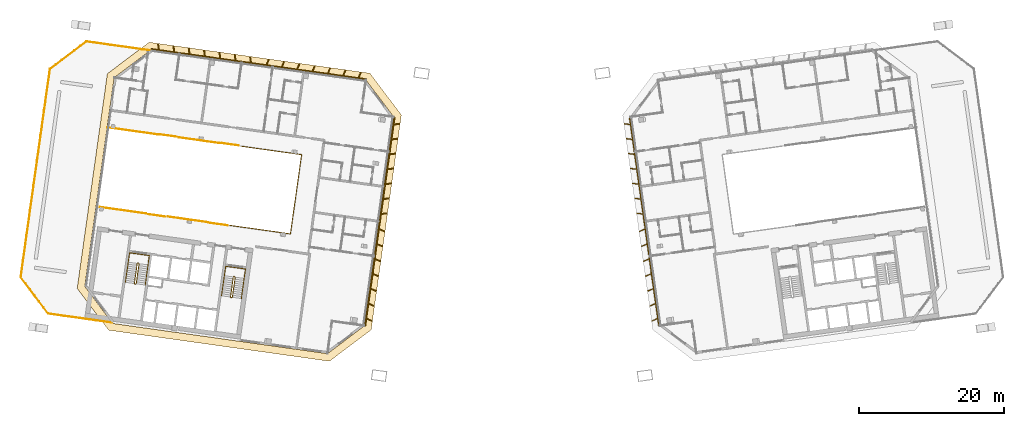
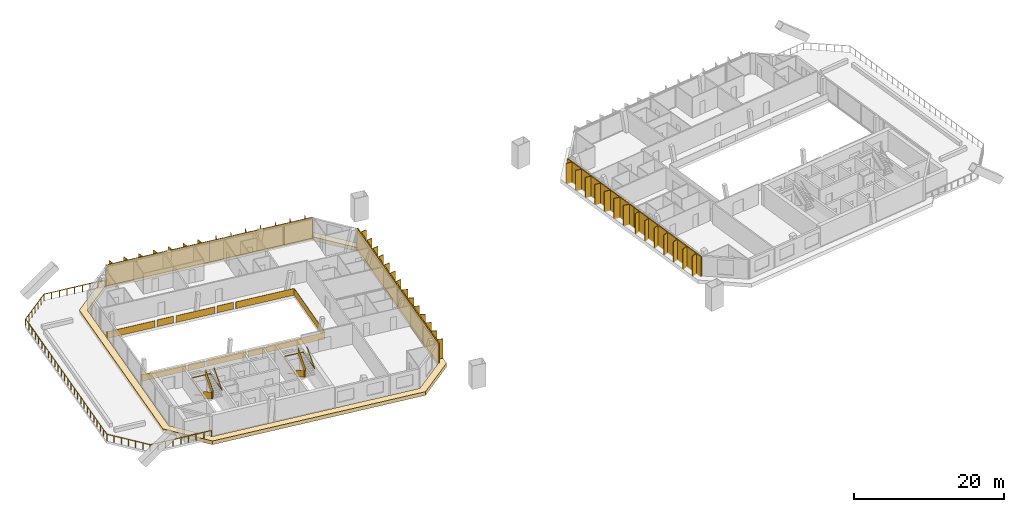
# One storey, part 16 of 17: 14 railings, 6 shading devices, 1 covering.
"""IFC4 building model written with IfcOpenShell, lengths in metres."""

import ifcopenshell
import ifcopenshell.guid

model = None  # the IFC model being written
_history = None  # IfcOwnerHistory: only IFC2X3 demands one
_inside = {}  # id of a spatial element -> (the spatial element, [elements in it])
_under = {}  # id of a project, library or spatial element -> (it, [spatial elements below it])
_declared = {}  # id of a project -> (the project, [libraries it declares])
_typed = {}  # id of a type object -> (the type object, [elements of that type])
_made_of = {}  # id of a material, layer set ... -> (it, [elements and type objects made of it])


def new_model(schema):
    """Start an empty IFC model of exactly this schema.

    Asked for "IFC4X3", IfcOpenShell would pick the latest addendum, in which some entities
    have other attributes; the version numbers below select the first issue.
    IFC2X3 requires an IfcOwnerHistory on every rooted entity: one is made here for all.
    """
    global model, _history
    if schema == "IFC4X3":
        model = ifcopenshell.file(schema_version=(4, 3, 0, 0))
    else:
        model = ifcopenshell.file(schema=schema)
    _inside.clear()
    _under.clear()
    _declared.clear()
    _typed.clear()
    _made_of.clear()
    _history = None
    if model.schema == "IFC2X3":
        org = make("IfcOrganization", Name="unknown")
        user = make(
            "IfcPersonAndOrganization",
            ThePerson=make("IfcPerson", FamilyName="unknown"),
            TheOrganization=org,
        )
        app = make(
            "IfcApplication",
            ApplicationDeveloper=org,
            Version="unknown",
            ApplicationFullName="unknown",
            ApplicationIdentifier="unknown",
        )
        _history = make(
            "IfcOwnerHistory",
            OwningUser=user,
            OwningApplication=app,
            ChangeAction="ADDED",
            CreationDate=0,
        )
    return model


def make(cls, **values):
    """One entity of the class cls with the attributes given. An attribute that is None is left unset."""
    return model.create_entity(
        cls, **{name: value for name, value in values.items() if value is not None}
    )


def rooted(cls, **values):
    """An entity with a GlobalId (a new one), such as an element, a storey or a relation."""
    return make(cls, GlobalId=ifcopenshell.guid.new(), OwnerHistory=_history, **values)


def si_unit(unit_type, name, prefix=None):
    """IfcSIUnit, for example si_unit("LENGTHUNIT", "METRE", prefix="MILLI")."""
    return make("IfcSIUnit", UnitType=unit_type, Prefix=prefix, Name=name)


def assignment(units):
    """IfcUnitAssignment: the units of a project."""
    return None if units is None else make("IfcUnitAssignment", Units=units)


def point(xyz):
    """IfcCartesianPoint."""
    return None if xyz is None else make("IfcCartesianPoint", Coordinates=xyz)


def direction(xyz):
    """IfcDirection."""
    return None if xyz is None else make("IfcDirection", DirectionRatios=xyz)


def frame(location, z_axis=None, x_axis=None):
    """IfcAxis2Placement3D, a coordinate frame: its origin and axes. An axis left out is left unset."""
    return make(
        "IfcAxis2Placement3D",
        Location=point(location),
        Axis=direction(z_axis),
        RefDirection=direction(x_axis),
    )


def frame_2d(location, x_axis=None):
    """IfcAxis2Placement2D, a coordinate frame in the plane: its origin and x axis."""
    return make(
        "IfcAxis2Placement2D", Location=point(location), RefDirection=direction(x_axis)
    )


def origin():
    """The frame at (0, 0, 0) with its axes left unset."""
    return frame((0.0, 0.0, 0.0))


def origin_2d():
    """The frame at (0, 0) in the plane with its x axis left unset."""
    return frame_2d((0.0, 0.0))


def place(relative_to, where):
    """IfcLocalPlacement: puts the frame where relative to a parent placement (None: the world)."""
    return make(
        "IfcLocalPlacement", PlacementRelTo=relative_to, RelativePlacement=where
    )


def context(
    kind, dimensions, precision=None, world=None, true_north=None, identifier=None
):
    """IfcGeometricRepresentationContext, for example the 3D "Model" context."""
    return make(
        "IfcGeometricRepresentationContext",
        ContextIdentifier=identifier,
        ContextType=kind,
        CoordinateSpaceDimension=dimensions,
        Precision=precision,
        WorldCoordinateSystem=world,
        TrueNorth=true_north,
    )


def subcontext(parent, identifier, kind, view, scale=None):
    """IfcGeometricRepresentationSubContext, for example "Body" below "Model"."""
    return make(
        "IfcGeometricRepresentationSubContext",
        ContextIdentifier=identifier,
        ContextType=kind,
        ParentContext=parent,
        TargetScale=scale,
        TargetView=view,
    )


def project(units=None, contexts=None):
    """IfcProject with its units and contexts."""
    return rooted(
        "IfcProject",
        Name="project",
        RepresentationContexts=contexts,
        UnitsInContext=assignment(units),
    )


def spatial(cls, under=None, at=None, **own):
    """A site, building, storey or space (cls), placed at a placement, below another one or the project."""
    s = rooted(cls, ObjectPlacement=at, **own)
    if under is not None:
        _under.setdefault(under.id(), (under, []))[1].append(s)
    return s


def polyline(points):
    """IfcPolyline through the points."""
    return make("IfcPolyline", Points=[point(p) for p in points])


def profile(cls, at=None, kind="AREA", **sizes):
    """A parametric profile (cls). Its sizes go by their IFC names, for example OverallWidth=200.0."""
    return make(cls, ProfileType=kind, Position=at, **sizes)


def rectangle(**sizes):
    """IfcRectangleProfileDef."""
    return profile("IfcRectangleProfileDef", **sizes)


def outline(outer, holes=None, kind="AREA"):
    """IfcArbitraryClosedProfileDef: a profile drawn as a closed curve; with holes, ...WithVoids."""
    if holes is None:
        return make("IfcArbitraryClosedProfileDef", ProfileType=kind, OuterCurve=outer)
    return make(
        "IfcArbitraryProfileDefWithVoids",
        ProfileType=kind,
        OuterCurve=outer,
        InnerCurves=holes,
    )


def extrude(swept, where, along, depth):
    """IfcExtrudedAreaSolid: the profile swept, set in the frame where, extruded along a direction by depth."""
    return make(
        "IfcExtrudedAreaSolid",
        SweptArea=swept,
        Position=where,
        ExtrudedDirection=direction(along),
        Depth=depth,
    )


def shape(context_of_items, identifier, shape_type, items):
    """IfcShapeRepresentation: the items that make up one representation, for example the "Body"."""
    return make(
        "IfcShapeRepresentation",
        ContextOfItems=context_of_items,
        RepresentationIdentifier=identifier,
        RepresentationType=shape_type,
        Items=items,
    )


def material(Name=None, Category=None):
    """IfcMaterial."""
    return make("IfcMaterial", Name=Name, Category=Category)


def layer(
    of_material, thickness, ventilated=None, Name=None, Category=None, Priority=None
):
    """IfcMaterialLayer: one layer of a wall or slab, of a material (None: an air gap)."""
    return make(
        "IfcMaterialLayer",
        Material=of_material,
        LayerThickness=thickness,
        IsVentilated=ventilated,
        Name=Name,
        Category=Category,
        Priority=Priority,
    )


def layer_set(layers, Name=None):
    """IfcMaterialLayerSet."""
    return make("IfcMaterialLayerSet", MaterialLayers=layers, LayerSetName=Name)


def made_of(thing, what):
    """Note that an element or type object is made of a material, layer set ...; save() writes the relation."""
    if what is not None:
        _made_of.setdefault(what.id(), (what, []))[1].append(thing)
    return thing


def type_object(cls, material=None, **own):
    """A type object (cls), such as IfcWallType, which elements share."""
    return made_of(rooted(cls, **own), material)


def element(
    cls,
    number,
    at=None,
    inside=None,
    cuts=None,
    type_object=None,
    material=None,
    context=None,
    identifier="Body",
    shape_type=None,
    held_by="IfcProductDefinitionShape",
    body=None,
    shapes=None,
    **own,
):
    """One element of the class cls, such as IfcWall. Its Tag is "e" and its number.

    at: its placement. inside: the storey or other place that contains it. cuts: it is an
    opening in that element (IfcRelVoidsElement). A single representation is given by context,
    identifier, shape_type and body (its items); several are given by shapes. held_by: the class
    of the entity that holds the representations. save() writes the other relations.
    """
    e = rooted(cls, Tag="e%d" % number, ObjectPlacement=at, **own)
    if body is not None:
        shapes = [shape(context, identifier, shape_type, body)]
    if shapes is not None:
        e.Representation = make(held_by, Representations=shapes)
    if inside is not None:
        _inside.setdefault(inside.id(), (inside, []))[1].append(e)
    if cuts is not None:
        rooted(
            "IfcRelVoidsElement", RelatingBuildingElement=cuts, RelatedOpeningElement=e
        )
    if type_object is not None:
        _typed.setdefault(type_object.id(), (type_object, []))[1].append(e)
    return made_of(e, material)


def aggregate(whole, parts):
    """IfcRelAggregates: a whole, such as a stair, and the parts it consists of."""
    return rooted("IfcRelAggregates", RelatingObject=whole, RelatedObjects=parts)


def save(model, path):
    """Write the relations noted so far, then the file.

    IfcRelAggregates (storeys below a building ...), IfcRelContainedInSpatialStructure (elements
    in a storey), IfcRelDefinesByType, IfcRelAssociatesMaterial and IfcRelDeclares: one each for
    every whole, place, type object, material and project.
    """
    for whole, parts in _under.values():
        aggregate(whole, parts)
    for where, things in _inside.values():
        rooted(
            "IfcRelContainedInSpatialStructure",
            RelatedElements=things,
            RelatingStructure=where,
        )
    for kind, things in _typed.values():
        rooted("IfcRelDefinesByType", RelatedObjects=things, RelatingType=kind)
    for what, things in _made_of.values():
        rooted("IfcRelAssociatesMaterial", RelatedObjects=things, RelatingMaterial=what)
    for by, libraries in _declared.values():
        rooted("IfcRelDeclares", RelatingContext=by, RelatedDefinitions=libraries)
    model.write(path)


model = new_model("IFC4")

# Units and contexts
model_context = context("Model", 3, precision=1e-05, world=origin(), true_north=direction((0.0, 1.0)))
body_context = subcontext(model_context, "Body", "Model", "MODEL_VIEW")
ifc_project = project(units=[si_unit("LENGTHUNIT", "METRE"), si_unit("AREAUNIT", "SQUARE_METRE"), si_unit("VOLUMEUNIT", "CUBIC_METRE"), si_unit("PLANEANGLEUNIT", "RADIAN"), si_unit("MASSUNIT", "GRAM", prefix="KILO")], contexts=[model_context])

# Site, building, storey
site_placement = place(None, origin())
site = spatial("IfcSite", under=ifc_project, at=site_placement, CompositionType="ELEMENT")
building_placement = place(site_placement, origin())
building = spatial("IfcBuilding", under=site, at=building_placement, Name="Mirante Cascada Hotel Towers", CompositionType="ELEMENT")
storey_placement = place(building_placement, frame((0.0, 0.0, 250.8)))
storey = spatial("IfcBuildingStorey", under=building, at=storey_placement, Name="L60", CompositionType="ELEMENT", Elevation=250.8)

# Railings
ifc_material_1 = material(Name="Toughened glass with stainless steel handrail", Category="steel")
railing_type_1 = type_object("IfcRailingType", Name="Atrium guard 1100 glass balustrade", PredefinedType="GUARDRAIL", material=ifc_material_1)
railing_1_placement = place(storey_placement, frame((-37.2848, 6.6985, 0.0)))
element("IfcRailing", 1, at=railing_1_placement, inside=storey, type_object=railing_type_1, Name="GUARD 1-L60-1", PredefinedType="GUARDRAIL", context=body_context, shape_type="SweptSolid", body=[
    extrude(rectangle(XDim=0.048, YDim=0.048, at=origin_2d()), frame((0.0, 0.0, 1.076), z_axis=(0.9902674, -0.1391775, 0.0), x_axis=(0.1391775, 0.9902674, 0.0)), (0.0, 0.0, 1.0), 8.4245),
    extrude(rectangle(XDim=0.02, YDim=1.052, at=origin_2d()), frame((0.0, 0.0, 0.526), z_axis=(0.9902674, -0.1391775, 0.0), x_axis=(0.1391775, 0.9902674, 0.0)), (0.0, 0.0, 1.0), 8.4245),
    extrude(rectangle(XDim=0.048, YDim=0.048, at=origin_2d()), frame((8.3425, -1.1725, 1.076), z_axis=(-0.1391733, -0.990268, 0.0), x_axis=(0.990268, -0.1391733, 0.0)), (0.0, 0.0, 1.0), 11.0),
    extrude(rectangle(XDim=0.02, YDim=1.052, at=origin_2d()), frame((8.3425, -1.1725, 0.526), z_axis=(-0.1391733, -0.990268, 0.0), x_axis=(0.990268, -0.1391733, 0.0)), (0.0, 0.0, 1.0), 11.0),
    extrude(rectangle(XDim=0.048, YDim=0.048, at=origin_2d()), frame((6.8116, -12.0654, 1.076), z_axis=(-0.9902691, 0.1391659, 0.0), x_axis=(-0.1391659, -0.9902691, 0.0)), (0.0, 0.0, 1.0), 8.4245),
    extrude(rectangle(XDim=0.02, YDim=1.052, at=origin_2d()), frame((6.8116, -12.0654, 0.526), z_axis=(-0.9902691, 0.1391659, 0.0), x_axis=(-0.1391659, -0.9902691, 0.0)), (0.0, 0.0, 1.0), 8.4245),
])
railing_2_placement = place(storey_placement, frame((-41.7865, -3.7769, 0.0)))
element("IfcRailing", 2, at=railing_2_placement, inside=storey, type_object=railing_type_1, Name="GUARD 1-L60-2", PredefinedType="GUARDRAIL", context=body_context, shape_type="SweptSolid", body=[
    extrude(rectangle(XDim=0.048, YDim=0.048, at=origin_2d()), frame((0.0, 0.0, 1.076), z_axis=(-0.9902698, 0.1391607, 0.0), x_axis=(-0.1391607, -0.9902698, 0.0)), (0.0, 0.0, 1.0), 5.6302),
    extrude(rectangle(XDim=0.02, YDim=1.052, at=origin_2d()), frame((0.0, 0.0, 0.526), z_axis=(-0.9902698, 0.1391607, 0.0), x_axis=(-0.1391607, -0.9902698, 0.0)), (0.0, 0.0, 1.0), 5.6302),
])
railing_3_placement = place(storey_placement, frame((-45.831, 7.8996, 0.0)))
element("IfcRailing", 3, at=railing_3_placement, inside=storey, type_object=railing_type_1, Name="GUARD 1-L60-3", PredefinedType="GUARDRAIL", context=body_context, shape_type="SweptSolid", body=[
    extrude(rectangle(XDim=0.048, YDim=0.048, at=origin_2d()), frame((0.0, 0.0, 1.076), z_axis=(0.9902674, -0.1391781, 0.0), x_axis=(0.1391781, 0.9902674, 0.0)), (0.0, 0.0, 1.0), 5.6302),
    extrude(rectangle(XDim=0.02, YDim=1.052, at=origin_2d()), frame((0.0, 0.0, 0.526), z_axis=(0.9902674, -0.1391781, 0.0), x_axis=(0.1391781, 0.9902674, 0.0)), (0.0, 0.0, 1.0), 5.6302),
])
railing_4_placement = place(storey_placement, frame((-50.3327, -2.5758, 0.0)))
element("IfcRailing", 4, at=railing_4_placement, inside=storey, type_object=railing_type_1, Name="GUARD 1-L60-4", PredefinedType="GUARDRAIL", context=body_context, shape_type="SweptSolid", body=[
    extrude(rectangle(XDim=0.048, YDim=0.048, at=origin_2d()), frame((0.0, 0.0, 1.076), z_axis=(-0.9902684, 0.1391707, 0.0), x_axis=(-0.1391707, -0.9902684, 0.0)), (0.0, 0.0, 1.0), 6.4453),
    extrude(rectangle(XDim=0.02, YDim=1.052, at=origin_2d()), frame((0.0, 0.0, 0.526), z_axis=(-0.9902684, 0.1391707, 0.0), x_axis=(-0.1391707, -0.9902684, 0.0)), (0.0, 0.0, 1.0), 6.4453),
])
railing_5_placement = place(storey_placement, frame((-55.6795, 9.2837, 0.0)))
element("IfcRailing", 5, at=railing_5_placement, inside=storey, type_object=railing_type_1, Name="GUARD 1-L60-5", PredefinedType="GUARDRAIL", context=body_context, shape_type="SweptSolid", body=[
    extrude(rectangle(XDim=0.048, YDim=0.048, at=origin_2d()), frame((0.0, 0.0, 1.076), z_axis=(0.990268, -0.1391734, 0.0), x_axis=(0.1391734, 0.990268, 0.0)), (0.0, 0.0, 1.0), 6.9453),
    extrude(rectangle(XDim=0.02, YDim=1.052, at=origin_2d()), frame((0.0, 0.0, 0.526), z_axis=(0.990268, -0.1391734, 0.0), x_axis=(0.1391734, 0.990268, 0.0)), (0.0, 0.0, 1.0), 6.9453),
])
railing_6_placement = place(storey_placement, frame((-50.047, -2.6665, 0.0)))
element("IfcRailing", 6, at=railing_6_placement, inside=storey, type_object=railing_type_1, Name="GUARD 1-L60-6", PredefinedType="GUARDRAIL", context=body_context, shape_type="SweptSolid", body=[
    extrude(rectangle(XDim=0.048, YDim=0.048, at=origin_2d()), frame((0.0, 0.0, 1.076), z_axis=(0.9902715, -0.1391486, 0.0), x_axis=(0.1391486, 0.9902715, 0.0)), (0.0, 0.0, 1.0), 2.4089),
    extrude(rectangle(XDim=0.02, YDim=1.052, at=origin_2d()), frame((0.0, 0.0, 0.526), z_axis=(0.9902715, -0.1391486, 0.0), x_axis=(0.1391486, 0.9902715, 0.0)), (0.0, 0.0, 1.0), 2.4089),
])
railing_7_placement = place(storey_placement, frame((-46.1167, 7.9902, 0.0)))
element("IfcRailing", 7, at=railing_7_placement, inside=storey, type_object=railing_type_1, Name="GUARD 1-L60-7", PredefinedType="GUARDRAIL", context=body_context, shape_type="SweptSolid", body=[
    extrude(rectangle(XDim=0.048, YDim=0.048, at=origin_2d()), frame((0.0, 0.0, 1.076), z_axis=(-0.9902658, 0.1391893, 0.0), x_axis=(-0.1391893, -0.9902658, 0.0)), (0.0, 0.0, 1.0), 2.4089),
    extrude(rectangle(XDim=0.02, YDim=1.052, at=origin_2d()), frame((0.0, 0.0, 0.526), z_axis=(-0.9902658, 0.1391893, 0.0), x_axis=(-0.1391893, -0.9902658, 0.0)), (0.0, 0.0, 1.0), 2.4089),
])
railing_8_placement = place(storey_placement, frame((-41.5008, -3.8676, 0.0)))
element("IfcRailing", 8, at=railing_8_placement, inside=storey, type_object=railing_type_1, Name="GUARD 1-L60-8", PredefinedType="GUARDRAIL", context=body_context, shape_type="SweptSolid", body=[
    extrude(rectangle(XDim=0.048, YDim=0.048, at=origin_2d()), frame((0.0, 0.0, 1.076), z_axis=(0.9902715, -0.1391486, 0.0), x_axis=(0.1391486, 0.9902715, 0.0)), (0.0, 0.0, 1.0), 2.4089),
    extrude(rectangle(XDim=0.02, YDim=1.052, at=origin_2d()), frame((0.0, 0.0, 0.526), z_axis=(0.9902715, -0.1391486, 0.0), x_axis=(0.1391486, 0.9902715, 0.0)), (0.0, 0.0, 1.0), 2.4089),
])
railing_9_placement = place(storey_placement, frame((-37.5704, 6.7891, 0.0)))
element("IfcRailing", 9, at=railing_9_placement, inside=storey, type_object=railing_type_1, Name="GUARD 1-L60-9", PredefinedType="GUARDRAIL", context=body_context, shape_type="SweptSolid", body=[
    extrude(rectangle(XDim=0.048, YDim=0.048, at=origin_2d()), frame((0.0, 0.0, 1.076), z_axis=(-0.9902666, 0.1391836, 0.0), x_axis=(-0.1391836, -0.9902666, 0.0)), (0.0, 0.0, 1.0), 2.409),
    extrude(rectangle(XDim=0.02, YDim=1.052, at=origin_2d()), frame((0.0, 0.0, 0.526), z_axis=(-0.9902666, 0.1391836, 0.0), x_axis=(-0.1391836, -0.9902666, 0.0)), (0.0, 0.0, 1.0), 2.409),
])

# Covering
ifc_material_2 = material(Name="Precast concrete C40/50 white", Category="concrete")
ifc_layer = layer(ifc_material_2, 0.6)
ifc_layer_set = layer_set([ifc_layer], Name="Precast concrete SUNSHADE band 1000x600")
covering_type = type_object("IfcCoveringType", Name="Precast concrete SUNSHADE band 1000x600", PredefinedType="CLADDING", material=ifc_layer_set)
covering_placement = place(storey_placement, frame((0.0, 0.0, -0.45)))
element("IfcCovering", 10, at=covering_placement, inside=storey, type_object=covering_type, Name="Precast concrete SUNSHADE band T1 L60", PredefinedType="CLADDING", context=body_context, shape_type="SweptSolid", body=[
    extrude(outline(polyline([(-59.8032, -12.8722), (-55.6518, 16.6659), (-49.9078, 20.9944), (-19.5418, 16.7267), (-15.2133, 10.9827), (-19.3646, -18.5555), (-25.1087, -22.884), (-55.4747, -18.6163), (-59.8032, -12.8722)]), holes=[polyline([(-16.2612, 10.7116), (-20.0912, 15.7941), (-49.6367, 19.9465), (-54.7192, 16.1166), (-58.7552, -12.6012), (-54.9253, -17.6837), (-25.3797, -21.8361), (-20.2972, -18.0061), (-16.2612, 10.7116)])]), origin(), (0.0, 0.0, 1.0), 0.6),
])

# Railings
ifc_material_3 = material(Name="Painted steel", Category="steel")
railing_type_2 = type_object("IfcRailingType", Name="Stair guard 1100 steel balustrade", PredefinedType="GUARDRAIL", material=ifc_material_3)
railing_10_placement = place(storey_placement, frame((-38.1178, -11.2603, 0.0)))
element("IfcRailing", 11, at=railing_10_placement, inside=storey, type_object=railing_type_2, Name="L60 ST1-A stair guard 1", PredefinedType="GUARDRAIL", context=body_context, shape_type="SweptSolid", body=[
    extrude(rectangle(XDim=0.048, YDim=0.048, at=origin_2d()), frame((0.0, 0.0, 1.076), z_axis=(-0.9903326, 0.1387133, 0.0), x_axis=(-0.1387133, -0.9903326, 0.0)), (0.0, 0.0, 1.0), 0.1499),
    extrude(rectangle(XDim=0.02, YDim=1.052, at=origin_2d()), frame((0.0, 0.0, 0.526), z_axis=(-0.9903326, 0.1387133, 0.0), x_axis=(-0.1387133, -0.9903326, 0.0)), (0.0, 0.0, 1.0), 0.1499),
    extrude(rectangle(XDim=0.048, YDim=0.048, at=origin_2d()), frame((-0.1485, 0.0208, 1.076), z_axis=(-0.7991505, -0.6011309, 0.0), x_axis=(0.6011309, -0.7991505, 0.0)), (0.0, 0.9254529, 0.3788627), 0.1866),
    extrude(rectangle(XDim=0.02, YDim=1.052, at=origin_2d()), frame((-0.1485, 0.0208, 0.526), z_axis=(-0.7991505, -0.6011309, 0.0), x_axis=(0.6011309, -0.7991505, 0.0)), (0.0, 0.9254529, 0.3788627), 0.1866),
    extrude(rectangle(XDim=0.048, YDim=0.048, at=origin_2d()), frame((-0.205, -0.0217, 1.2487), z_axis=(-0.139176, -0.9902677, 0.0), x_axis=(0.9902677, -0.139176, 0.0)), (0.0, 0.5250212, 0.8510891), 3.29),
    extrude(rectangle(XDim=0.02, YDim=1.052, at=origin_2d()), frame((-0.205, -0.0217, 0.6987), z_axis=(-0.139176, -0.9902677, 0.0), x_axis=(0.9902677, -0.139176, 0.0)), (0.0, 0.5250212, 0.8510891), 3.29),
    extrude(rectangle(XDim=0.048, YDim=0.048, at=origin_2d()), frame((-0.5947, -2.7945, 2.976), z_axis=(0.9270311, -0.3749843, 0.0), x_axis=(0.3749843, 0.9270311, 0.0)), (0.0, 0.0, 1.0), 0.2061),
    extrude(rectangle(XDim=0.02, YDim=1.052, at=origin_2d()), frame((-0.5947, -2.7945, 2.426), z_axis=(0.9270311, -0.3749843, 0.0), x_axis=(0.3749843, 0.9270311, 0.0)), (0.0, 0.0, 1.0), 0.2061),
    extrude(rectangle(XDim=0.048, YDim=0.048, at=origin_2d()), frame((-0.4036, -2.8718, 2.976), z_axis=(-0.9902408, 0.1393672, 0.0), x_axis=(-0.1393672, -0.9902408, 0.0)), (0.0, 0.0, 1.0), 0.15),
    extrude(rectangle(XDim=0.02, YDim=1.052, at=origin_2d()), frame((-0.4036, -2.8718, 2.426), z_axis=(-0.9902408, 0.1393672, 0.0), x_axis=(-0.1393672, -0.9902408, 0.0)), (0.0, 0.0, 1.0), 0.15),
    extrude(rectangle(XDim=0.048, YDim=0.048, at=origin_2d()), frame((-0.5521, -2.8509, 2.976), z_axis=(0.9944948, 0.1047858, 0.0), x_axis=(-0.1047858, 0.9944948, 0.0)), (0.0, 0.6422034, 0.7665343), 0.2689),
    extrude(rectangle(XDim=0.02, YDim=1.052, at=origin_2d()), frame((-0.5521, -2.8509, 2.426), z_axis=(0.9944948, 0.1047858, 0.0), x_axis=(-0.1047858, 0.9944948, 0.0)), (0.0, 0.6422034, 0.7665343), 0.2689),
    extrude(rectangle(XDim=0.048, YDim=0.048, at=origin_2d()), frame((-0.3471, -2.8293, 3.1487), z_axis=(0.139176, 0.9902677, 0.0), x_axis=(-0.9902677, 0.139176, 0.0)), (0.0, 0.5250212, 0.8510891), 3.29),
    extrude(rectangle(XDim=0.02, YDim=1.052, at=origin_2d()), frame((-0.3471, -2.8293, 2.5987), z_axis=(0.139176, 0.9902677, 0.0), x_axis=(-0.9902677, 0.139176, 0.0)), (0.0, 0.5250212, 0.8510891), 3.29),
])
railing_11_placement = place(storey_placement, frame((-51.3379, -9.4024, 0.0)))
element("IfcRailing", 12, at=railing_11_placement, inside=storey, type_object=railing_type_2, Name="L60 ST1-B stair guard 1", PredefinedType="GUARDRAIL", context=body_context, shape_type="SweptSolid", body=[
    extrude(rectangle(XDim=0.048, YDim=0.048, at=origin_2d()), frame((0.0, 0.0, 1.076), z_axis=(-0.9902408, 0.1393672, 0.0), x_axis=(-0.1393672, -0.9902408, 0.0)), (0.0, 0.0, 1.0), 0.15),
    extrude(rectangle(XDim=0.02, YDim=1.052, at=origin_2d()), frame((0.0, 0.0, 0.526), z_axis=(-0.9902408, 0.1393672, 0.0), x_axis=(-0.1393672, -0.9902408, 0.0)), (0.0, 0.0, 1.0), 0.15),
    extrude(rectangle(XDim=0.048, YDim=0.048, at=origin_2d()), frame((-0.1485, 0.0209, 1.076), z_axis=(-0.7984711, -0.6020331, 0.0), x_axis=(0.6020331, -0.7984711, 0.0)), (0.0, 0.9253398, 0.3791387), 0.1866),
    extrude(rectangle(XDim=0.02, YDim=1.052, at=origin_2d()), frame((-0.1485, 0.0209, 0.526), z_axis=(-0.7984711, -0.6020331, 0.0), x_axis=(0.6020331, -0.7984711, 0.0)), (0.0, 0.9253398, 0.3791387), 0.1866),
    extrude(rectangle(XDim=0.048, YDim=0.048, at=origin_2d()), frame((-0.205, -0.0217, 1.2487), z_axis=(-0.139181, -0.990267, 0.0), x_axis=(0.990267, -0.139181, 0.0)), (0.0, 0.5250347, 0.8510808), 3.2899),
    extrude(rectangle(XDim=0.02, YDim=1.052, at=origin_2d()), frame((-0.205, -0.0217, 0.6987), z_axis=(-0.139181, -0.990267, 0.0), x_axis=(0.990267, -0.139181, 0.0)), (0.0, 0.5250347, 0.8510808), 3.2899),
    extrude(rectangle(XDim=0.048, YDim=0.048, at=origin_2d()), frame((-0.5947, -2.7944, 2.976), z_axis=(0.9268624, -0.3754011, 0.0), x_axis=(0.3754011, 0.9268624, 0.0)), (0.0, 0.0, 1.0), 0.2062),
    extrude(rectangle(XDim=0.02, YDim=1.052, at=origin_2d()), frame((-0.5947, -2.7944, 2.426), z_axis=(0.9268624, -0.3754011, 0.0), x_axis=(0.3754011, 0.9268624, 0.0)), (0.0, 0.0, 1.0), 0.2062),
    extrude(rectangle(XDim=0.048, YDim=0.048, at=origin_2d()), frame((-0.4036, -2.8718, 2.976), z_axis=(-0.9902408, 0.1393672, 0.0), x_axis=(-0.1393672, -0.9902408, 0.0)), (0.0, 0.0, 1.0), 0.15),
    extrude(rectangle(XDim=0.02, YDim=1.052, at=origin_2d()), frame((-0.4036, -2.8718, 2.426), z_axis=(-0.9902408, 0.1393672, 0.0), x_axis=(-0.1393672, -0.9902408, 0.0)), (0.0, 0.0, 1.0), 0.15),
    extrude(rectangle(XDim=0.048, YDim=0.048, at=origin_2d()), frame((-0.5521, -2.8509, 2.976), z_axis=(0.9944441, 0.1052656, 0.0), x_axis=(-0.1052656, 0.9944441, 0.0)), (0.0, 0.6421842, 0.7665504), 0.2689),
    extrude(rectangle(XDim=0.02, YDim=1.052, at=origin_2d()), frame((-0.5521, -2.8509, 2.426), z_axis=(0.9944441, 0.1052656, 0.0), x_axis=(-0.1052656, 0.9944441, 0.0)), (0.0, 0.6421842, 0.7665504), 0.2689),
    extrude(rectangle(XDim=0.048, YDim=0.048, at=origin_2d()), frame((-0.3471, -2.8292, 3.1487), z_axis=(0.139181, 0.990267, 0.0), x_axis=(-0.990267, 0.139181, 0.0)), (0.0, 0.5250347, 0.8510808), 3.2899),
    extrude(rectangle(XDim=0.02, YDim=1.052, at=origin_2d()), frame((-0.3471, -2.8292, 2.5987), z_axis=(0.139181, 0.990267, 0.0), x_axis=(-0.990267, 0.139181, 0.0)), (0.0, 0.5250347, 0.8510808), 3.2899),
])
ifc_material_4 = material(Name="Painted steel", Category="steel")
railing_type_3 = type_object("IfcRailingType", Name="Stair handrail 900 steel tube", PredefinedType="HANDRAIL", material=ifc_material_4)
railing_12_placement = place(storey_placement, frame((-39.5606, -11.1081, 0.1727)))
element("IfcRailing", 13, at=railing_12_placement, inside=storey, type_object=railing_type_3, Name="L60 ST1-A stair handrail 1", PredefinedType="HANDRAIL", context=body_context, shape_type="SweptSolid", body=[
    extrude(rectangle(XDim=0.048, YDim=0.048, at=origin_2d()), frame((0.0, 0.0, 0.876), z_axis=(-0.139181, -0.990267, 0.0), x_axis=(0.990267, -0.139181, 0.0)), (0.0, 0.5250347, 0.8510808), 3.2899),
    extrude(rectangle(XDim=0.048, YDim=0.048, at=origin_2d()), frame((-0.3897, -2.7727, 2.6033), z_axis=(0.1391707, 0.9902684, 0.0), x_axis=(-0.9902684, 0.1391707, 0.0)), (0.0, 0.0420846, 0.999114), 4.1036),
    extrude(rectangle(XDim=0.048, YDim=0.048, at=origin_2d()), frame((0.1809, 1.2874, 2.776), z_axis=(0.9902691, -0.1391657, 0.0), x_axis=(0.1391657, 0.9902691, 0.0)), (0.0, 0.0, 1.0), 2.75),
    extrude(rectangle(XDim=0.048, YDim=0.048, at=origin_2d()), frame((2.9041, 0.9047, 2.776), z_axis=(-0.1391707, -0.9902684, 0.0), x_axis=(0.9902684, -0.1391707, 0.0)), (0.0, 0.0, 1.0), 4.1),
    extrude(rectangle(XDim=0.048, YDim=0.048, at=origin_2d()), frame((2.3335, -3.1554, 2.776), z_axis=(0.139181, 0.990267, 0.0), x_axis=(-0.990267, 0.139181, 0.0)), (0.0, 0.5250347, 0.8510808), 3.2899),
])
railing_13_placement = place(storey_placement, frame((-52.7807, -9.2501, 0.1727)))
element("IfcRailing", 14, at=railing_13_placement, inside=storey, type_object=railing_type_3, Name="L60 ST1-B stair handrail 1", PredefinedType="HANDRAIL", context=body_context, shape_type="SweptSolid", body=[
    extrude(rectangle(XDim=0.048, YDim=0.048, at=origin_2d()), frame((0.0, 0.0, 0.876), z_axis=(-0.139181, -0.990267, 0.0), x_axis=(0.990267, -0.139181, 0.0)), (0.0, 0.5250347, 0.8510808), 3.2899),
    extrude(rectangle(XDim=0.048, YDim=0.048, at=origin_2d()), frame((-0.3897, -2.7727, 2.6033), z_axis=(0.1391707, 0.9902684, 0.0), x_axis=(-0.9902684, 0.1391707, 0.0)), (0.0, 0.0420846, 0.999114), 4.1036),
    extrude(rectangle(XDim=0.048, YDim=0.048, at=origin_2d()), frame((0.1809, 1.2874, 2.776), z_axis=(0.9902641, -0.1392013, 0.0), x_axis=(0.1392013, 0.9902641, 0.0)), (0.0, 0.0, 1.0), 2.75),
    extrude(rectangle(XDim=0.048, YDim=0.048, at=origin_2d()), frame((2.9041, 0.9046, 2.776), z_axis=(-0.1391707, -0.9902684, 0.0), x_axis=(0.9902684, -0.1391707, 0.0)), (0.0, 0.0, 1.0), 4.1),
    extrude(rectangle(XDim=0.048, YDim=0.048, at=origin_2d()), frame((2.3335, -3.1555, 2.776), z_axis=(0.139176, 0.9902677, 0.0), x_axis=(-0.9902677, 0.139176, 0.0)), (0.0, 0.5250212, 0.8510891), 3.29),
])
ifc_material_5 = material(Name="Stainless steel AISI 316", Category="steel")
railing_type_4 = type_object("IfcRailingType", Name="Terrace guard 1100", PredefinedType="GUARDRAIL", material=ifc_material_5)
railing_14_placement = place(storey_placement, frame((-49.7777, 19.8653, 0.0)))
element("IfcRailing", 15, at=railing_14_placement, inside=storey, type_object=railing_type_4, Name="GUARD T1 L60 terrace 1", PredefinedType="GUARDRAIL", context=body_context, shape_type="SweptSolid", body=[
    extrude(outline(polyline([(0.025, 0.0104), (0.0104, 0.025), (-0.0104, 0.025), (-0.025, 0.0104), (-0.025, -0.0104), (-0.0104, -0.025), (0.0104, -0.025), (0.025, -0.0104), (0.025, 0.0104)])), frame((0.0, 0.0, 1.075), z_axis=(-0.9902672, 0.1391792, 0.0), x_axis=(-0.1391792, -0.9902672, 0.0)), (0.0, 0.0, 1.0), 8.8303),
    extrude(outline(polyline([(0.025, 0.0104), (0.0104, 0.025), (-0.0104, 0.025), (-0.025, 0.0104), (-0.025, -0.0104), (-0.0104, -0.025), (0.0104, -0.025), (0.025, -0.0104), (0.025, 0.0104)])), frame((-8.7444, 1.229, 1.075), z_axis=(-0.7986319, -0.6018198, 0.0), x_axis=(0.6018198, -0.7986319, 0.0)), (0.0, 0.0, 1.0), 6.2811),
    extrude(outline(polyline([(0.025, 0.0104), (0.0104, 0.025), (-0.0104, 0.025), (-0.025, 0.0104), (-0.025, -0.0104), (-0.0104, -0.025), (0.0104, -0.025), (0.025, -0.0104), (0.025, 0.0104)])), frame((-13.7607, -2.5511, 1.075), z_axis=(-0.1391731, -0.9902681, 0.0), x_axis=(0.9902681, -0.1391731, 0.0)), (0.0, 0.0, 1.0), 28.9172),
    extrude(outline(polyline([(0.025, 0.0104), (0.0104, 0.025), (-0.0104, 0.025), (-0.025, 0.0104), (-0.025, -0.0104), (-0.0104, -0.025), (0.0104, -0.025), (0.025, -0.0104), (0.025, 0.0104)])), frame((-17.7852, -31.1869, 1.075), z_axis=(0.6018198, -0.7986319, 0.0), x_axis=(0.7986319, 0.6018198, 0.0)), (0.0, 0.0, 1.0), 6.2811),
    extrude(outline(polyline([(0.025, 0.0104), (0.0104, 0.025), (-0.0104, 0.025), (-0.025, 0.0104), (-0.025, -0.0104), (-0.0104, -0.025), (0.0104, -0.025), (0.025, -0.0104), (0.025, 0.0104)])), frame((-14.0051, -36.2032, 1.075), z_axis=(0.9902688, -0.1391681, 0.0), x_axis=(0.1391681, 0.9902688, 0.0)), (0.0, 0.0, 1.0), 8.8303),
    extrude(rectangle(XDim=0.05, YDim=0.05, at=origin_2d()), origin(), (0.0, 0.0, 1.0), 1.05),
    extrude(rectangle(XDim=0.05, YDim=0.05, at=origin_2d()), frame((-1.093, 0.1536, 0.0)), (0.0, 0.0, 1.0), 1.05),
    extrude(rectangle(XDim=0.05, YDim=0.05, at=origin_2d()), frame((-2.1861, 0.3072, 0.0)), (0.0, 0.0, 1.0), 1.05),
    extrude(rectangle(XDim=0.05, YDim=0.05, at=origin_2d()), frame((-3.2791, 0.4609, 0.0)), (0.0, 0.0, 1.0), 1.05),
    extrude(rectangle(XDim=0.05, YDim=0.05, at=origin_2d()), frame((-4.3722, 0.6145, 0.0)), (0.0, 0.0, 1.0), 1.05),
    extrude(rectangle(XDim=0.05, YDim=0.05, at=origin_2d()), frame((-5.4652, 0.7681, 0.0)), (0.0, 0.0, 1.0), 1.05),
    extrude(rectangle(XDim=0.05, YDim=0.05, at=origin_2d()), frame((-6.5583, 0.9217, 0.0)), (0.0, 0.0, 1.0), 1.05),
    extrude(rectangle(XDim=0.05, YDim=0.05, at=origin_2d()), frame((-7.6513, 1.0754, 0.0)), (0.0, 0.0, 1.0), 1.05),
    extrude(rectangle(XDim=0.05, YDim=0.05, at=origin_2d()), frame((-8.7444, 1.229, 0.0)), (0.0, 0.0, 1.0), 1.05),
    extrude(rectangle(XDim=0.05, YDim=0.05, at=origin_2d()), frame((-9.5804, 0.599, 0.0)), (0.0, 0.0, 1.0), 1.05),
    extrude(rectangle(XDim=0.05, YDim=0.05, at=origin_2d()), frame((-10.4165, -0.031, 0.0)), (0.0, 0.0, 1.0), 1.05),
    extrude(rectangle(XDim=0.05, YDim=0.05, at=origin_2d()), frame((-11.2526, -0.6611, 0.0)), (0.0, 0.0, 1.0), 1.05),
    extrude(rectangle(XDim=0.05, YDim=0.05, at=origin_2d()), frame((-12.0886, -1.2911, 0.0)), (0.0, 0.0, 1.0), 1.05),
    extrude(rectangle(XDim=0.05, YDim=0.05, at=origin_2d()), frame((-12.9246, -1.9211, 0.0)), (0.0, 0.0, 1.0), 1.05),
    extrude(rectangle(XDim=0.05, YDim=0.05, at=origin_2d()), frame((-13.7607, -2.5511, 0.0)), (0.0, 0.0, 1.0), 1.05),
    extrude(rectangle(XDim=0.05, YDim=0.05, at=origin_2d()), frame((-13.9217, -3.6965, 0.0)), (0.0, 0.0, 1.0), 1.05),
    extrude(rectangle(XDim=0.05, YDim=0.05, at=origin_2d()), frame((-14.0827, -4.842, 0.0)), (0.0, 0.0, 1.0), 1.05),
    extrude(rectangle(XDim=0.05, YDim=0.05, at=origin_2d()), frame((-14.2436, -5.9874, 0.0)), (0.0, 0.0, 1.0), 1.05),
    extrude(rectangle(XDim=0.05, YDim=0.05, at=origin_2d()), frame((-14.4046, -7.1328, 0.0)), (0.0, 0.0, 1.0), 1.05),
    extrude(rectangle(XDim=0.05, YDim=0.05, at=origin_2d()), frame((-14.5656, -8.2783, 0.0)), (0.0, 0.0, 1.0), 1.05),
    extrude(rectangle(XDim=0.05, YDim=0.05, at=origin_2d()), frame((-14.7266, -9.4237, 0.0)), (0.0, 0.0, 1.0), 1.05),
    extrude(rectangle(XDim=0.05, YDim=0.05, at=origin_2d()), frame((-14.8876, -10.5691, 0.0)), (0.0, 0.0, 1.0), 1.05),
    extrude(rectangle(XDim=0.05, YDim=0.05, at=origin_2d()), frame((-15.0485, -11.7146, 0.0)), (0.0, 0.0, 1.0), 1.05),
    extrude(rectangle(XDim=0.05, YDim=0.05, at=origin_2d()), frame((-15.2095, -12.86, 0.0)), (0.0, 0.0, 1.0), 1.05),
    extrude(rectangle(XDim=0.05, YDim=0.05, at=origin_2d()), frame((-15.3705, -14.0054, 0.0)), (0.0, 0.0, 1.0), 1.05),
    extrude(rectangle(XDim=0.05, YDim=0.05, at=origin_2d()), frame((-15.5315, -15.1509, 0.0)), (0.0, 0.0, 1.0), 1.05),
    extrude(rectangle(XDim=0.05, YDim=0.05, at=origin_2d()), frame((-15.6925, -16.2963, 0.0)), (0.0, 0.0, 1.0), 1.05),
    extrude(rectangle(XDim=0.05, YDim=0.05, at=origin_2d()), frame((-15.8534, -17.4417, 0.0)), (0.0, 0.0, 1.0), 1.05),
    extrude(rectangle(XDim=0.05, YDim=0.05, at=origin_2d()), frame((-16.0144, -18.5871, 0.0)), (0.0, 0.0, 1.0), 1.05),
    extrude(rectangle(XDim=0.05, YDim=0.05, at=origin_2d()), frame((-16.1754, -19.7326, 0.0)), (0.0, 0.0, 1.0), 1.05),
    extrude(rectangle(XDim=0.05, YDim=0.05, at=origin_2d()), frame((-16.3364, -20.878, 0.0)), (0.0, 0.0, 1.0), 1.05),
    extrude(rectangle(XDim=0.05, YDim=0.05, at=origin_2d()), frame((-16.4974, -22.0234, 0.0)), (0.0, 0.0, 1.0), 1.05),
    extrude(rectangle(XDim=0.05, YDim=0.05, at=origin_2d()), frame((-16.6583, -23.1689, 0.0)), (0.0, 0.0, 1.0), 1.05),
    extrude(rectangle(XDim=0.05, YDim=0.05, at=origin_2d()), frame((-16.8193, -24.3143, 0.0)), (0.0, 0.0, 1.0), 1.05),
    extrude(rectangle(XDim=0.05, YDim=0.05, at=origin_2d()), frame((-16.9803, -25.4597, 0.0)), (0.0, 0.0, 1.0), 1.05),
    extrude(rectangle(XDim=0.05, YDim=0.05, at=origin_2d()), frame((-17.1413, -26.6052, 0.0)), (0.0, 0.0, 1.0), 1.05),
    extrude(rectangle(XDim=0.05, YDim=0.05, at=origin_2d()), frame((-17.3023, -27.7506, 0.0)), (0.0, 0.0, 1.0), 1.05),
    extrude(rectangle(XDim=0.05, YDim=0.05, at=origin_2d()), frame((-17.4632, -28.896, 0.0)), (0.0, 0.0, 1.0), 1.05),
    extrude(rectangle(XDim=0.05, YDim=0.05, at=origin_2d()), frame((-17.6242, -30.0415, 0.0)), (0.0, 0.0, 1.0), 1.05),
    extrude(rectangle(XDim=0.05, YDim=0.05, at=origin_2d()), frame((-17.7852, -31.1869, 0.0)), (0.0, 0.0, 1.0), 1.05),
    extrude(rectangle(XDim=0.05, YDim=0.05, at=origin_2d()), frame((-17.1552, -32.023, 0.0)), (0.0, 0.0, 1.0), 1.05),
    extrude(rectangle(XDim=0.05, YDim=0.05, at=origin_2d()), frame((-16.5252, -32.859, 0.0)), (0.0, 0.0, 1.0), 1.05),
    extrude(rectangle(XDim=0.05, YDim=0.05, at=origin_2d()), frame((-15.8951, -33.695, 0.0)), (0.0, 0.0, 1.0), 1.05),
    extrude(rectangle(XDim=0.05, YDim=0.05, at=origin_2d()), frame((-15.2651, -34.5311, 0.0)), (0.0, 0.0, 1.0), 1.05),
    extrude(rectangle(XDim=0.05, YDim=0.05, at=origin_2d()), frame((-14.6351, -35.3672, 0.0)), (0.0, 0.0, 1.0), 1.05),
    extrude(rectangle(XDim=0.05, YDim=0.05, at=origin_2d()), frame((-14.0051, -36.2032, 0.0)), (0.0, 0.0, 1.0), 1.05),
    extrude(rectangle(XDim=0.05, YDim=0.05, at=origin_2d()), frame((-12.912, -36.3568, 0.0)), (0.0, 0.0, 1.0), 1.05),
    extrude(rectangle(XDim=0.05, YDim=0.05, at=origin_2d()), frame((-11.819, -36.5104, 0.0)), (0.0, 0.0, 1.0), 1.05),
    extrude(rectangle(XDim=0.05, YDim=0.05, at=origin_2d()), frame((-10.7259, -36.664, 0.0)), (0.0, 0.0, 1.0), 1.05),
    extrude(rectangle(XDim=0.05, YDim=0.05, at=origin_2d()), frame((-9.6329, -36.8176, 0.0)), (0.0, 0.0, 1.0), 1.05),
    extrude(rectangle(XDim=0.05, YDim=0.05, at=origin_2d()), frame((-8.5398, -36.9713, 0.0)), (0.0, 0.0, 1.0), 1.05),
    extrude(rectangle(XDim=0.05, YDim=0.05, at=origin_2d()), frame((-7.4468, -37.1249, 0.0)), (0.0, 0.0, 1.0), 1.05),
    extrude(rectangle(XDim=0.05, YDim=0.05, at=origin_2d()), frame((-6.3538, -37.2785, 0.0)), (0.0, 0.0, 1.0), 1.05),
    extrude(rectangle(XDim=0.05, YDim=0.05, at=origin_2d()), frame((-5.2607, -37.4321, 0.0)), (0.0, 0.0, 1.0), 1.05),
])

# Shading devices
ifc_material_6 = material(Name="White precast concrete C50/60 fin", Category="concrete")
shading_device_type = type_object("IfcShadingDeviceType", Name="Vertical fin set 4500x900", PredefinedType="USERDEFINED", material=ifc_material_6)
shading_device_1_placement = place(storey_placement, origin())
element("IfcShadingDevice", 16, at=shading_device_1_placement, inside=storey, type_object=shading_device_type, Name="FIN T1 L60 front 1", ObjectType="FIN", PredefinedType="USERDEFINED", context=body_context, shape_type="SweptSolid", body=[
    extrude(outline(polyline([(-35.8705, 18.1632), (-34.8431, 18.0188), (-34.8639, 17.8703), (-49.6367, 19.9465), (-49.6159, 20.095), (-48.6149, 19.9544), (-48.717, 20.7856), (-48.6376, 20.7954), (-48.5329, 19.9428), (-46.5045, 19.6578), (-46.6066, 20.489), (-46.5272, 20.4988), (-46.4225, 19.6462), (-44.3941, 19.3612), (-44.4962, 20.1924), (-44.4168, 20.2022), (-44.3121, 19.3496), (-42.2837, 19.0646), (-42.3858, 19.8958), (-42.3064, 19.9056), (-42.2017, 19.053), (-40.1733, 18.768), (-40.2754, 19.5992), (-40.196, 19.609), (-40.0913, 18.7564), (-38.0629, 18.4714), (-38.165, 19.3026), (-38.0856, 19.3124), (-37.9809, 18.4598), (-35.9525, 18.1748), (-36.0546, 19.006), (-35.9752, 19.0158), (-35.8705, 18.1632)])), origin(), (0.0, 0.0, 1.0), 3.35),
])
shading_device_2_placement = place(storey_placement, origin())
element("IfcShadingDevice", 17, at=shading_device_2_placement, inside=storey, type_object=shading_device_type, Name="FIN T1 L60 front 2", ObjectType="FIN", PredefinedType="USERDEFINED", context=body_context, shape_type="SweptSolid", body=[
    extrude(outline(polyline([(-21.0712, 16.0833), (-20.0703, 15.9427), (-20.0912, 15.7941), (-34.8639, 17.8703), (-34.8431, 18.0188), (-33.8156, 17.8744), (-33.48, 18.6651), (-33.4064, 18.6339), (-33.7336, 17.8629), (-31.7052, 17.5779), (-31.3696, 18.3685), (-31.296, 18.3373), (-31.6232, 17.5663), (-29.5948, 17.2813), (-29.2592, 18.0719), (-29.1856, 18.0407), (-29.5128, 17.2697), (-27.4844, 16.9847), (-27.1488, 17.7753), (-27.0752, 17.7441), (-27.4024, 16.9731), (-25.374, 16.6881), (-25.0384, 17.4787), (-24.9648, 17.4475), (-25.292, 16.6765), (-23.2636, 16.3915), (-22.928, 17.1821), (-22.8544, 17.1509), (-23.1816, 16.3799), (-21.1532, 16.0949), (-20.8176, 16.8855), (-20.744, 16.8543), (-21.0712, 16.0833)])), origin(), (0.0, 0.0, 1.0), 3.35),
])
shading_device_3_placement = place(storey_placement, origin())
element("IfcShadingDevice", 18, at=shading_device_3_placement, inside=storey, type_object=shading_device_type, Name="FIN T1 L60 inner 1", ObjectType="FIN", PredefinedType="USERDEFINED", context=body_context, shape_type="SweptSolid", body=[
    extrude(outline(polyline([(-17.9905, -2.6702), (-18.1307, -3.6681), (-18.2792, -3.6472), (-16.2612, 10.7116), (-16.1127, 10.6908), (-16.2492, 9.7194), (-15.4179, 9.8215), (-15.4082, 9.7421), (-16.2607, 9.6374), (-16.5375, 7.6681), (-15.7062, 7.7702), (-15.6965, 7.6908), (-16.549, 7.5861), (-16.8258, 5.6169), (-15.9945, 5.7189), (-15.9848, 5.6395), (-16.8373, 5.5349), (-17.1141, 3.5656), (-16.2828, 3.6677), (-16.273, 3.5883), (-17.1256, 3.4836), (-17.4024, 1.5143), (-16.5711, 1.6164), (-16.5613, 1.537), (-17.4139, 1.4323), (-17.6906, -0.5369), (-16.8594, -0.4349), (-16.8496, -0.5143), (-17.7022, -0.619), (-17.9789, -2.5882), (-17.1476, -2.4861), (-17.1379, -2.5655), (-17.9905, -2.6702)])), origin(), (0.0, 0.0, 1.0), 3.35),
])
shading_device_4_placement = place(storey_placement, origin())
element("IfcShadingDevice", 19, at=shading_device_4_placement, inside=storey, type_object=shading_device_type, Name="FIN T1 L60 inner 2", ObjectType="FIN", PredefinedType="USERDEFINED", context=body_context, shape_type="SweptSolid", body=[
    extrude(outline(polyline([(-20.0122, -17.0556), (-20.1487, -18.027), (-20.2972, -18.0061), (-18.2792, -3.6472), (-18.1307, -3.6681), (-18.2709, -4.666), (-17.4803, -5.0016), (-17.5115, -5.0753), (-18.2825, -4.748), (-18.5592, -6.7173), (-17.7686, -7.0529), (-17.7998, -7.1265), (-18.5708, -6.7993), (-18.8475, -8.7686), (-18.0568, -9.1042), (-18.0881, -9.1778), (-18.859, -8.8506), (-19.1358, -10.8198), (-18.3451, -11.1554), (-18.3764, -11.2291), (-19.1473, -10.9018), (-19.4241, -12.8711), (-18.6334, -13.2067), (-18.6647, -13.2804), (-19.4356, -12.9531), (-19.7124, -14.9224), (-18.9217, -15.258), (-18.953, -15.3316), (-19.7239, -15.0044), (-20.0007, -16.9736), (-19.21, -17.3093), (-19.2413, -17.3829), (-20.0122, -17.0556)])), origin(), (0.0, 0.0, 1.0), 3.35),
])
shading_device_5_placement = place(storey_placement, origin())
element("IfcShadingDevice", 20, at=shading_device_5_placement, inside=storey, type_object=shading_device_type, Name="FIN T2 L60 inner 1", ObjectType="FIN", PredefinedType="USERDEFINED", context=body_context, shape_type="SweptSolid", body=[
    extrude(outline(polyline([(17.1476, -2.4861), (17.9789, -2.5882), (17.7022, -0.619), (16.8496, -0.5143), (16.8594, -0.4349), (17.6906, -0.5369), (17.4139, 1.4323), (16.5613, 1.537), (16.5711, 1.6164), (17.4024, 1.5143), (17.1256, 3.4836), (16.273, 3.5883), (16.2828, 3.6677), (17.1141, 3.5656), (16.8373, 5.5349), (15.9848, 5.6395), (15.9945, 5.7189), (16.8258, 5.6169), (16.549, 7.5861), (15.6965, 7.6908), (15.7062, 7.7702), (16.5375, 7.6681), (16.2607, 9.6374), (15.4082, 9.7421), (15.4179, 9.8215), (16.2492, 9.7194), (16.1127, 10.6908), (16.2612, 10.7116), (18.2792, -3.6472), (18.1307, -3.6681), (17.9905, -2.6702), (17.1379, -2.5655), (17.1476, -2.4861)])), origin(), (0.0, 0.0, 1.0), 3.35),
])
shading_device_6_placement = place(storey_placement, origin())
element("IfcShadingDevice", 21, at=shading_device_6_placement, inside=storey, type_object=shading_device_type, Name="FIN T2 L60 inner 2", ObjectType="FIN", PredefinedType="USERDEFINED", context=body_context, shape_type="SweptSolid", body=[
    extrude(outline(polyline([(19.21, -17.3093), (20.0007, -16.9736), (19.7239, -15.0044), (18.953, -15.3316), (18.9217, -15.258), (19.7124, -14.9224), (19.4356, -12.9531), (18.6647, -13.2804), (18.6334, -13.2067), (19.4241, -12.8711), (19.1473, -10.9018), (18.3764, -11.2291), (18.3451, -11.1554), (19.1358, -10.8198), (18.859, -8.8506), (18.0881, -9.1778), (18.0568, -9.1042), (18.8475, -8.7686), (18.5708, -6.7993), (17.7998, -7.1265), (17.7686, -7.0529), (18.5592, -6.7173), (18.2825, -4.748), (17.5115, -5.0753), (17.4803, -5.0016), (18.2709, -4.666), (18.1307, -3.6681), (18.2792, -3.6472), (20.2972, -18.0061), (20.1487, -18.027), (20.0122, -17.0556), (19.2413, -17.3829), (19.21, -17.3093)])), origin(), (0.0, 0.0, 1.0), 3.35),
])

save(model, "model.ifc")
